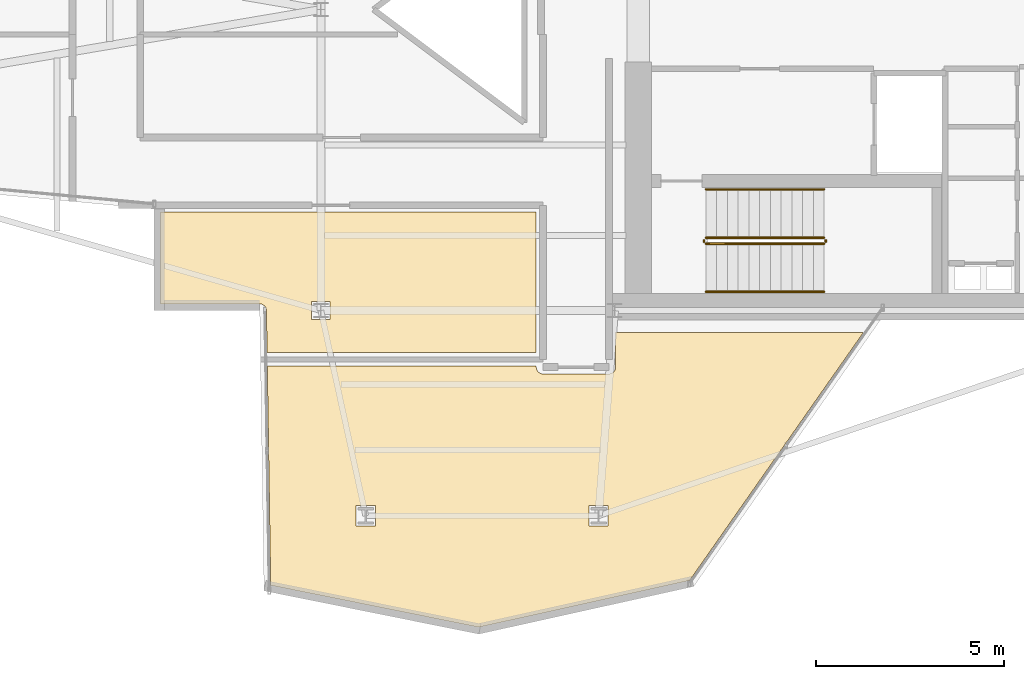
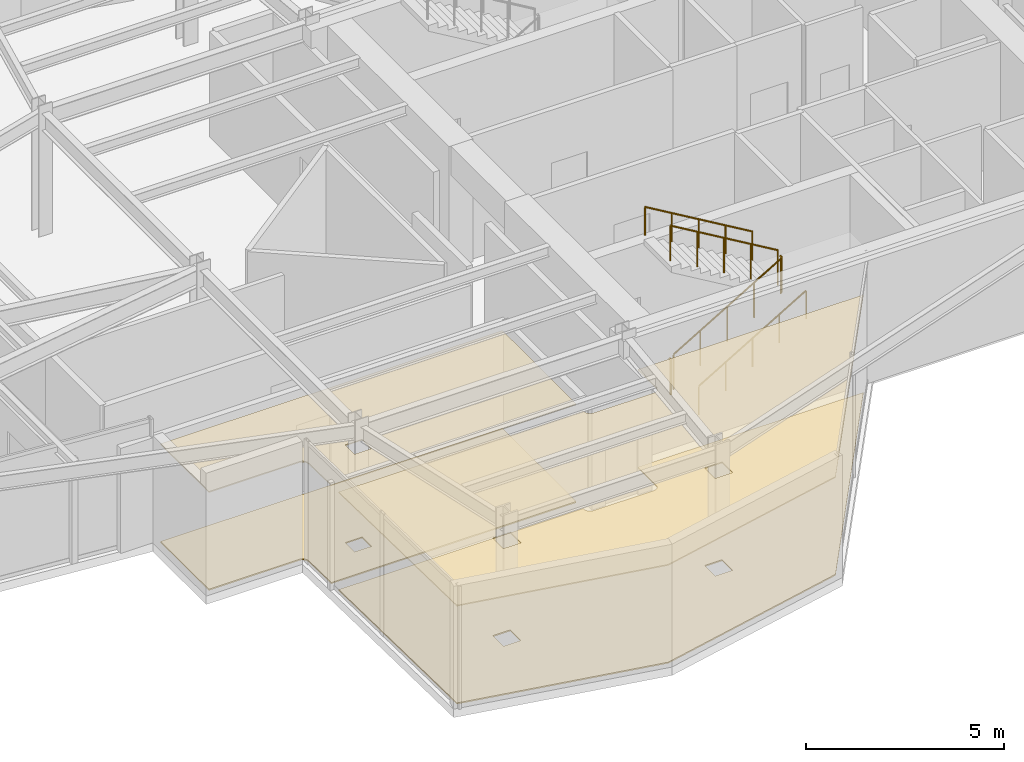
# One storey, part 23 of 24: 6 railings, 4 coverings.
"""IFC4 building model written with IfcOpenShell, lengths in metres."""

from ifc_helpers import new_model, si_unit, direction, frame, origin, origin_2d, place, context, subcontext, project, spatial, polyline, circle, outline, extrude, material, layer, layer_set, type_object, element, save


model = new_model("IFC4")

# Units and contexts
model_context = context("Model", 3, precision=1e-05, world=origin(), true_north=direction((0.0, 1.0)))
body_context = subcontext(model_context, "Body", "Model", "MODEL_VIEW")
ifc_project = project(units=[si_unit("LENGTHUNIT", "METRE"), si_unit("AREAUNIT", "SQUARE_METRE"), si_unit("VOLUMEUNIT", "CUBIC_METRE"), si_unit("PLANEANGLEUNIT", "RADIAN"), si_unit("MASSUNIT", "GRAM", prefix="KILO")], contexts=[model_context])

# Site, building, storey
site_placement = place(None, origin())
site = spatial("IfcSite", under=ifc_project, at=site_placement, CompositionType="ELEMENT")
building_placement = place(site_placement, origin())
building = spatial("IfcBuilding", under=site, at=building_placement, Name="Veymaron Broadcast Tower", CompositionType="ELEMENT")
storey_placement = place(building_placement, frame((0.0, 0.0, 220.199951171875)))
storey = spatial("IfcBuildingStorey", under=building, at=storey_placement, Name="L51", CompositionType="ELEMENT", Elevation=220.199951171875)

# Coverings
ifc_material_1 = material(Name="Moisture-resistant acoustic gypsum board", Category="gypsum")
ifc_layer_1 = layer(ifc_material_1, 0.034912109375)
ifc_layer_set_1 = layer_set([ifc_layer_1], Name="Moisture-resistant acoustic gypsum board")
covering_type_1 = type_object("IfcCoveringType", Name="COV-CEIL-GYP", PredefinedType="CEILING", material=ifc_layer_set_1)
covering_1_placement = place(storey_placement, frame((0.0, 0.0, 3.02001953125)))
element("IfcCovering", 1, at=covering_1_placement, inside=storey, type_object=covering_type_1, Name="L51 suspended acoustic ceiling 1", PredefinedType="CEILING", context=body_context, shape_type="SweptSolid", body=[
    extrude(outline(polyline([(37.031005859375, 14.333740234375), (37.047607421875, 14.327880859375), (37.06494140625, 14.323486328125), (37.08251953125, 14.32080078125), (37.10009765625, 14.320068359375), (38.85009765625, 14.320068359375), (38.86767578125, 14.32080078125), (38.885009765625, 14.323486328125), (38.90234375, 14.327880859375), (38.9189453125, 14.333740234375), (38.934814453125, 14.34130859375), (38.949951171875, 14.350341796875), (38.964111328125, 14.36083984375), (38.977294921875, 14.372802734375), (38.989013671875, 14.3857421875), (38.999755859375, 14.39990234375), (39.0087890625, 14.4150390625), (39.016357421875, 14.43115234375), (39.022216796875, 14.44775390625), (39.026611328125, 14.46484375), (39.029052734375, 14.482421875), (39.030029296875, 14.5), (39.030029296875, 15.42724609375), (39.044921875, 15.423583984375), (39.0625, 15.4208984375), (39.080078125, 15.419921875), (45.613037109375, 15.419921875), (45.185791015625, 14.810302734375), (40.9951171875, 8.83056640625), (35.393310546875, 7.589111328125), (29.865478515625, 8.702880859375), (29.775146484375, 14.527099609375), (36.919921875, 14.527099609375), (36.919921875, 14.5), (36.9208984375, 14.482421875), (36.923583984375, 14.46484375), (36.927734375, 14.44775390625), (36.93359375, 14.43115234375), (36.94140625, 14.4150390625), (36.9501953125, 14.39990234375), (36.9609375, 14.3857421875), (36.97265625, 14.372802734375), (36.98583984375, 14.36083984375), (37.0, 14.350341796875), (37.01513671875, 14.34130859375), (37.031005859375, 14.333740234375)]), holes=[polyline([(38.8310546875, 10.8173828125), (38.319091796875, 10.8173828125), (38.319091796875, 10.282470703125), (38.8310546875, 10.282470703125), (38.8310546875, 10.8173828125)]), polyline([(32.134033203125, 10.8173828125), (32.134033203125, 10.282470703125), (32.64599609375, 10.282470703125), (32.64599609375, 10.8173828125), (32.134033203125, 10.8173828125)])]), origin(), (0.0, 0.0, 1.0), 0.034912109375),
])
covering_2_placement = place(storey_placement, frame((0.0, 0.0, 3.02001953125)))
element("IfcCovering", 2, at=covering_2_placement, inside=storey, type_object=covering_type_1, Name="L51 suspended acoustic ceiling 2", PredefinedType="CEILING", context=body_context, shape_type="SweptSolid", body=[
    extrude(outline(polyline([(29.656494140625, 16.1591796875), (29.640625, 16.16650390625), (29.624267578125, 16.17236328125), (29.607177734375, 16.176513671875), (29.58984375, 16.17919921875), (29.572509765625, 16.179931640625), (26.93994140625, 16.179931640625), (26.93994140625, 18.6201171875), (36.919921875, 18.6201171875), (36.919921875, 14.886962890625), (29.769775390625, 14.886962890625), (29.75244140625, 16.002685546875), (29.751220703125, 16.020263671875), (29.748291015625, 16.03759765625), (29.743896484375, 16.054443359375), (29.73779296875, 16.07080078125), (29.730224609375, 16.08642578125), (29.72119140625, 16.101318359375), (29.71044921875, 16.115478515625), (29.69873046875, 16.12841796875), (29.685546875, 16.139892578125), (29.67138671875, 16.150146484375), (29.656494140625, 16.1591796875)]), holes=[polyline([(30.952880859375, 16.237548828125), (30.952880859375, 15.762451171875), (31.447021484375, 15.762451171875), (31.447021484375, 16.237548828125), (30.952880859375, 16.237548828125)])]), origin(), (0.0, 0.0, 1.0), 0.034912109375),
])
ifc_material_2 = material(Name="galvanized steel raised access floor panel", Category="steel")
ifc_layer_2 = layer(ifc_material_2, 0.0400390625)
ifc_layer_set_2 = layer_set([ifc_layer_2], Name="galvanized steel raised access floor panel")
covering_type_2 = type_object("IfcCoveringType", Name="COV-FLR-RAF", PredefinedType="FLOORING", material=ifc_layer_set_2)
covering_3_placement = place(storey_placement, origin())
element("IfcCovering", 3, at=covering_3_placement, inside=storey, type_object=covering_type_2, Name="L51 finished flooring 1", PredefinedType="FLOORING", context=body_context, shape_type="SweptSolid", body=[
    extrude(outline(polyline([(37.031005859375, 14.333740234375), (37.047607421875, 14.327880859375), (37.06494140625, 14.323486328125), (37.08251953125, 14.32080078125), (37.10009765625, 14.320068359375), (38.85009765625, 14.320068359375), (38.86767578125, 14.32080078125), (38.885009765625, 14.323486328125), (38.90234375, 14.327880859375), (38.9189453125, 14.333740234375), (38.934814453125, 14.34130859375), (38.949951171875, 14.350341796875), (38.964111328125, 14.36083984375), (38.977294921875, 14.372802734375), (38.989013671875, 14.3857421875), (38.999755859375, 14.39990234375), (39.0087890625, 14.4150390625), (39.016357421875, 14.43115234375), (39.022216796875, 14.44775390625), (39.026611328125, 14.46484375), (39.029052734375, 14.482421875), (39.030029296875, 14.5), (39.030029296875, 15.42724609375), (39.044921875, 15.423583984375), (39.0625, 15.4208984375), (39.080078125, 15.419921875), (45.613037109375, 15.419921875), (45.185791015625, 14.810302734375), (40.9951171875, 8.83056640625), (35.393310546875, 7.589111328125), (29.865478515625, 8.702880859375), (29.775146484375, 14.527099609375), (36.919921875, 14.527099609375), (36.919921875, 14.5), (36.9208984375, 14.482421875), (36.923583984375, 14.46484375), (36.927734375, 14.44775390625), (36.93359375, 14.43115234375), (36.94140625, 14.4150390625), (36.9501953125, 14.39990234375), (36.9609375, 14.3857421875), (36.97265625, 14.372802734375), (36.98583984375, 14.36083984375), (37.0, 14.350341796875), (37.01513671875, 14.34130859375), (37.031005859375, 14.333740234375)]), holes=[polyline([(38.8310546875, 10.8173828125), (38.319091796875, 10.8173828125), (38.319091796875, 10.282470703125), (38.8310546875, 10.282470703125), (38.8310546875, 10.8173828125)]), polyline([(32.134033203125, 10.8173828125), (32.134033203125, 10.282470703125), (32.64599609375, 10.282470703125), (32.64599609375, 10.8173828125), (32.134033203125, 10.8173828125)])]), origin(), (0.0, 0.0, 1.0), 0.0400390625),
])
covering_4_placement = place(storey_placement, origin())
element("IfcCovering", 4, at=covering_4_placement, inside=storey, type_object=covering_type_2, Name="L51 finished flooring 2", PredefinedType="FLOORING", context=body_context, shape_type="SweptSolid", body=[
    extrude(outline(polyline([(29.656494140625, 16.1591796875), (29.640625, 16.16650390625), (29.624267578125, 16.17236328125), (29.607177734375, 16.176513671875), (29.58984375, 16.17919921875), (29.572509765625, 16.179931640625), (26.93994140625, 16.179931640625), (26.93994140625, 18.6201171875), (36.919921875, 18.6201171875), (36.919921875, 14.886962890625), (29.769775390625, 14.886962890625), (29.75244140625, 16.002685546875), (29.751220703125, 16.020263671875), (29.748291015625, 16.03759765625), (29.743896484375, 16.054443359375), (29.73779296875, 16.07080078125), (29.730224609375, 16.08642578125), (29.72119140625, 16.101318359375), (29.71044921875, 16.115478515625), (29.69873046875, 16.12841796875), (29.685546875, 16.139892578125), (29.67138671875, 16.150146484375), (29.656494140625, 16.1591796875)]), holes=[polyline([(30.952880859375, 16.237548828125), (30.952880859375, 15.762451171875), (31.447021484375, 15.762451171875), (31.447021484375, 16.237548828125), (30.952880859375, 16.237548828125)])]), origin(), (0.0, 0.0, 1.0), 0.0400390625),
])

# Railings
ifc_material_3 = material(Name="Brushed stainless steel AISI 304", Category="steel")
railing_type_1 = type_object("IfcRailingType", Name="RAIL-STAIR-HR", PredefinedType="HANDRAIL", material=ifc_material_3)
railing_1_placement = place(storey_placement, frame((41.429931640625, 16.5, 0.168701171875)))
element("IfcRailing", 5, at=railing_1_placement, inside=storey, type_object=railing_type_1, Name="L51 ST2 stair handrail 1", PredefinedType="HANDRAIL", context=body_context, shape_type="SweptSolid", body=[
    extrude(circle(Radius=0.02392578125, at=origin_2d()), frame((0.0, 0.0, 0.8759765625), z_axis=(0.860452582533, 0.0, 0.509530522356), x_axis=(0.0, 1.0, 0.0)), (0.0, 0.0, 1.0), 3.6435546875),
    extrude(circle(Radius=0.02099609375, at=origin_2d()), origin(), (0.0, 0.0, 1.0), 0.851806640625),
    extrude(circle(Radius=0.02099609375, at=origin_2d()), frame((0.78369140625, 0.0, 0.464111328125)), (0.0, 0.0, 1.0), 0.851806640625),
    extrude(circle(Radius=0.02099609375, at=origin_2d()), frame((1.5673828125, 0.0, 0.92822265625)), (0.0, 0.0, 1.0), 0.851806640625),
    extrude(circle(Radius=0.02099609375, at=origin_2d()), frame((2.351318359375, 0.0, 1.392333984375)), (0.0, 0.0, 1.0), 0.851806640625),
    extrude(circle(Radius=0.02099609375, at=origin_2d()), frame((3.135009765625, 0.0, 1.8564453125)), (0.0, 0.0, 1.0), 0.851806640625),
])
railing_2_placement = place(storey_placement, frame((44.56494140625, 19.219970703125, 2.19384765625)))
element("IfcRailing", 6, at=railing_2_placement, inside=storey, type_object=railing_type_1, Name="L51 ST2 stair handrail 2", PredefinedType="HANDRAIL", context=body_context, shape_type="SweptSolid", body=[
    extrude(circle(Radius=0.02392578125, at=origin_2d()), frame((0.0, 0.0, 0.8759765625), z_axis=(-0.860481960309, 0.0, 0.509480908359), x_axis=(0.0, -1.0, 0.0)), (0.0, 0.0, 1.0), 3.643310546875),
    extrude(circle(Radius=0.02099609375, at=origin_2d()), origin(), (0.0, 0.0, 1.0), 0.851806640625),
    extrude(circle(Radius=0.02099609375, at=origin_2d()), frame((-0.78369140625, 0.0, 0.464111328125)), (0.0, 0.0, 1.0), 0.851806640625),
    extrude(circle(Radius=0.02099609375, at=origin_2d()), frame((-1.5673828125, 0.0, 0.92822265625)), (0.0, 0.0, 1.0), 0.851806640625),
    extrude(circle(Radius=0.02099609375, at=origin_2d()), frame((-2.351318359375, 0.0, 1.39208984375)), (0.0, 0.0, 1.0), 0.851806640625),
    extrude(circle(Radius=0.02099609375, at=origin_2d()), frame((-3.135009765625, 0.0, 1.856201171875)), (0.0, 0.0, 1.0), 0.851806640625),
])
ifc_material_4 = material(Name="Painted galvanized steel balustrade", Category="steel")
railing_type_2 = type_object("IfcRailingType", Name="RAIL-WELL-GRD", PredefinedType="GUARDRAIL", material=ifc_material_4)
railing_3_placement = place(storey_placement, frame((41.429931640625, 17.780029296875, 0.168701171875)))
element("IfcRailing", 7, at=railing_3_placement, inside=storey, type_object=railing_type_2, Name="L51 ST2 stair guard 1", PredefinedType="GUARDRAIL", context=body_context, shape_type="SweptSolid", body=[
    extrude(circle(Radius=0.02392578125, at=origin_2d()), frame((0.0, 0.0, 1.076171875), z_axis=(0.860452582533, 0.0, 0.509530522356), x_axis=(0.0, 1.0, 0.0)), (0.0, 0.0, 1.0), 3.6435546875),
    extrude(circle(Radius=0.02099609375, at=origin_2d()), origin(), (0.0, 0.0, 1.0), 1.052001953125),
    extrude(circle(Radius=0.02099609375, at=origin_2d()), frame((0.78369140625, 0.0, 0.464111328125)), (0.0, 0.0, 1.0), 1.052001953125),
    extrude(circle(Radius=0.02099609375, at=origin_2d()), frame((1.5673828125, 0.0, 0.92822265625)), (0.0, 0.0, 1.0), 1.052001953125),
    extrude(circle(Radius=0.02099609375, at=origin_2d()), frame((2.351318359375, 0.0, 1.392333984375)), (0.0, 0.0, 1.0), 1.052001953125),
    extrude(circle(Radius=0.02099609375, at=origin_2d()), frame((3.135009765625, 0.0, 1.8564453125)), (0.0, 0.0, 1.0), 1.052001953125),
])
railing_4_placement = place(storey_placement, frame((44.614990234375, 17.830078125, 2.025146484375)))
element("IfcRailing", 8, at=railing_4_placement, inside=storey, type_object=railing_type_2, Name="L51 ST2 stair guard 2", PredefinedType="GUARDRAIL", context=body_context, shape_type="SweptSolid", body=[
    extrude(circle(Radius=0.02392578125, at=origin_2d()), frame((0.0, 0.0, 1.076171875), z_axis=(0.0, 1.0, 0.0), x_axis=(-1.0, 0.0, 0.0)), (0.0, 0.0, 1.0), 0.059814453125),
    extrude(circle(Radius=0.02099609375, at=origin_2d()), origin(), (0.0, 0.0, 1.0), 1.052001953125),
])
railing_5_placement = place(storey_placement, frame((44.56494140625, 17.93994140625, 2.19384765625)))
element("IfcRailing", 9, at=railing_5_placement, inside=storey, type_object=railing_type_2, Name="L51 ST2 stair guard 3", PredefinedType="GUARDRAIL", context=body_context, shape_type="SweptSolid", body=[
    extrude(circle(Radius=0.02392578125, at=origin_2d()), frame((0.0, 0.0, 1.076171875), z_axis=(-0.860481960309, 0.0, 0.509480908359), x_axis=(0.0, -1.0, 0.0)), (0.0, 0.0, 1.0), 3.643310546875),
    extrude(circle(Radius=0.02099609375, at=origin_2d()), origin(), (0.0, 0.0, 1.0), 1.052001953125),
    extrude(circle(Radius=0.02099609375, at=origin_2d()), frame((-0.78369140625, 0.0, 0.464111328125)), (0.0, 0.0, 1.0), 1.052001953125),
    extrude(circle(Radius=0.02099609375, at=origin_2d()), frame((-1.5673828125, 0.0, 0.92822265625)), (0.0, 0.0, 1.0), 1.052001953125),
    extrude(circle(Radius=0.02099609375, at=origin_2d()), frame((-2.351318359375, 0.0, 1.39208984375)), (0.0, 0.0, 1.0), 1.052001953125),
    extrude(circle(Radius=0.02099609375, at=origin_2d()), frame((-3.135009765625, 0.0, 1.856201171875)), (0.0, 0.0, 1.0), 1.052001953125),
])
railing_6_placement = place(storey_placement, frame((41.3798828125, 17.830078125, 0.0)))
element("IfcRailing", 10, at=railing_6_placement, inside=storey, type_object=railing_type_2, Name="L51 ST2 stair guard 4", PredefinedType="GUARDRAIL", context=body_context, shape_type="SweptSolid", body=[
    extrude(circle(Radius=0.02392578125, at=origin_2d()), frame((0.0, 0.0, 1.076171875), z_axis=(0.0, 1.0, 0.0), x_axis=(-1.0, 0.0, 0.0)), (0.0, 0.0, 1.0), 0.059814453125),
    extrude(circle(Radius=0.02099609375, at=origin_2d()), origin(), (0.0, 0.0, 1.0), 1.052001953125),
])

save(model, "model.ifc")
